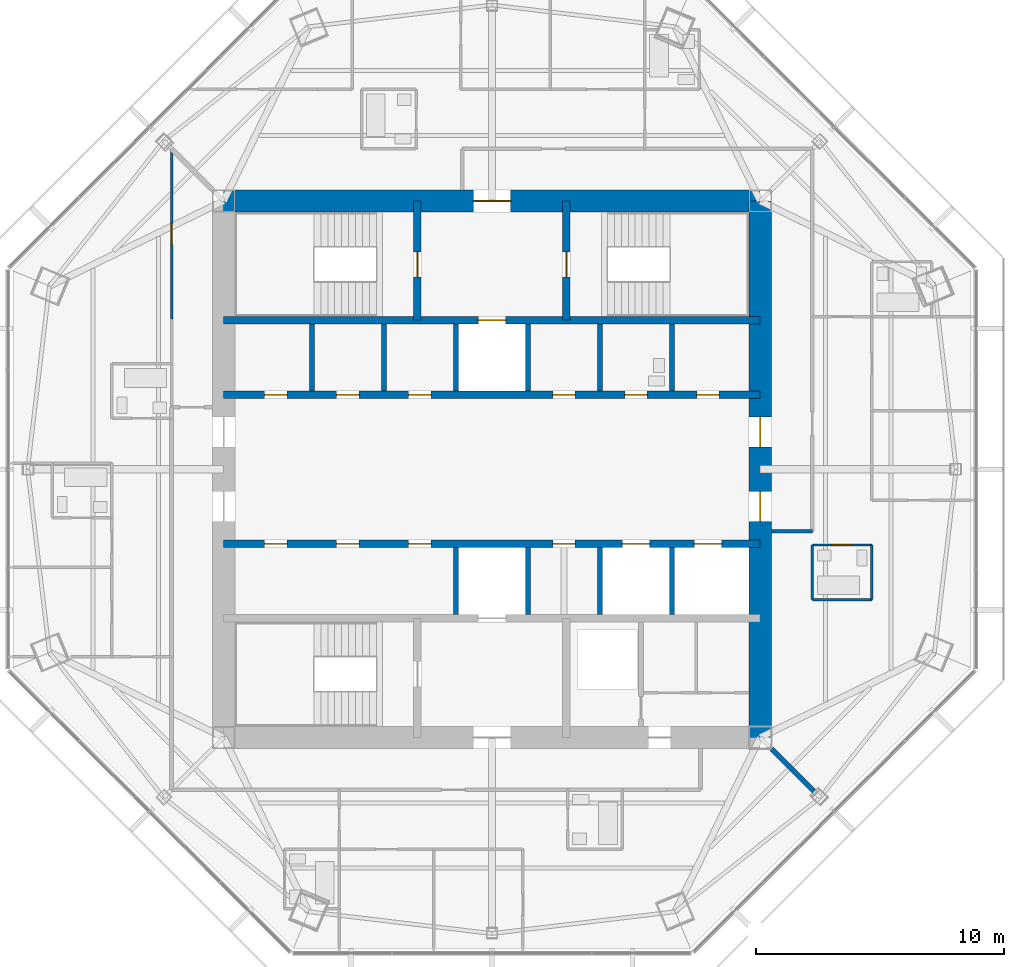
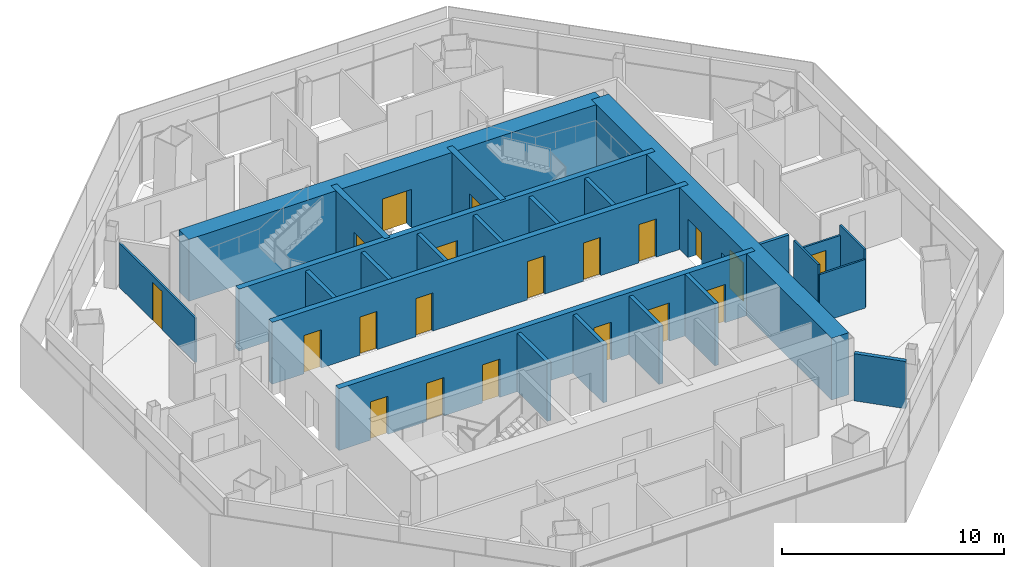
# One storey, part 10 of 15: 24 walls, 20 doors, 20 openings.
"""IFC4 building model written with IfcOpenShell, lengths in metres."""

import ifcopenshell
import ifcopenshell.guid

model = None  # the IFC model being written
_history = None  # IfcOwnerHistory: only IFC2X3 demands one
_inside = {}  # id of a spatial element -> (the spatial element, [elements in it])
_under = {}  # id of a project, library or spatial element -> (it, [spatial elements below it])
_declared = {}  # id of a project -> (the project, [libraries it declares])
_typed = {}  # id of a type object -> (the type object, [elements of that type])
_made_of = {}  # id of a material, layer set ... -> (it, [elements and type objects made of it])


def new_model(schema):
    """Start an empty IFC model of exactly this schema.

    Asked for "IFC4X3", IfcOpenShell would pick the latest addendum, in which some entities
    have other attributes; the version numbers below select the first issue.
    IFC2X3 requires an IfcOwnerHistory on every rooted entity: one is made here for all.
    """
    global model, _history
    if schema == "IFC4X3":
        model = ifcopenshell.file(schema_version=(4, 3, 0, 0))
    else:
        model = ifcopenshell.file(schema=schema)
    _inside.clear()
    _under.clear()
    _declared.clear()
    _typed.clear()
    _made_of.clear()
    _history = None
    if model.schema == "IFC2X3":
        org = make("IfcOrganization", Name="unknown")
        user = make(
            "IfcPersonAndOrganization",
            ThePerson=make("IfcPerson", FamilyName="unknown"),
            TheOrganization=org,
        )
        app = make(
            "IfcApplication",
            ApplicationDeveloper=org,
            Version="unknown",
            ApplicationFullName="unknown",
            ApplicationIdentifier="unknown",
        )
        _history = make(
            "IfcOwnerHistory",
            OwningUser=user,
            OwningApplication=app,
            ChangeAction="ADDED",
            CreationDate=0,
        )
    return model


def make(cls, **values):
    """One entity of the class cls with the attributes given. An attribute that is None is left unset."""
    return model.create_entity(
        cls, **{name: value for name, value in values.items() if value is not None}
    )


def rooted(cls, **values):
    """An entity with a GlobalId (a new one), such as an element, a storey or a relation."""
    return make(cls, GlobalId=ifcopenshell.guid.new(), OwnerHistory=_history, **values)


def si_unit(unit_type, name, prefix=None):
    """IfcSIUnit, for example si_unit("LENGTHUNIT", "METRE", prefix="MILLI")."""
    return make("IfcSIUnit", UnitType=unit_type, Prefix=prefix, Name=name)


def assignment(units):
    """IfcUnitAssignment: the units of a project."""
    return None if units is None else make("IfcUnitAssignment", Units=units)


def point(xyz):
    """IfcCartesianPoint."""
    return None if xyz is None else make("IfcCartesianPoint", Coordinates=xyz)


def direction(xyz):
    """IfcDirection."""
    return None if xyz is None else make("IfcDirection", DirectionRatios=xyz)


def frame(location, z_axis=None, x_axis=None):
    """IfcAxis2Placement3D, a coordinate frame: its origin and axes. An axis left out is left unset."""
    return make(
        "IfcAxis2Placement3D",
        Location=point(location),
        Axis=direction(z_axis),
        RefDirection=direction(x_axis),
    )


def frame_2d(location, x_axis=None):
    """IfcAxis2Placement2D, a coordinate frame in the plane: its origin and x axis."""
    return make(
        "IfcAxis2Placement2D", Location=point(location), RefDirection=direction(x_axis)
    )


def origin():
    """The frame at (0, 0, 0) with its axes left unset."""
    return frame((0.0, 0.0, 0.0))


def place(relative_to, where):
    """IfcLocalPlacement: puts the frame where relative to a parent placement (None: the world)."""
    return make(
        "IfcLocalPlacement", PlacementRelTo=relative_to, RelativePlacement=where
    )


def context(
    kind, dimensions, precision=None, world=None, true_north=None, identifier=None
):
    """IfcGeometricRepresentationContext, for example the 3D "Model" context."""
    return make(
        "IfcGeometricRepresentationContext",
        ContextIdentifier=identifier,
        ContextType=kind,
        CoordinateSpaceDimension=dimensions,
        Precision=precision,
        WorldCoordinateSystem=world,
        TrueNorth=true_north,
    )


def subcontext(parent, identifier, kind, view, scale=None):
    """IfcGeometricRepresentationSubContext, for example "Body" below "Model"."""
    return make(
        "IfcGeometricRepresentationSubContext",
        ContextIdentifier=identifier,
        ContextType=kind,
        ParentContext=parent,
        TargetScale=scale,
        TargetView=view,
    )


def project(units=None, contexts=None):
    """IfcProject with its units and contexts."""
    return rooted(
        "IfcProject",
        Name="project",
        RepresentationContexts=contexts,
        UnitsInContext=assignment(units),
    )


def spatial(cls, under=None, at=None, **own):
    """A site, building, storey or space (cls), placed at a placement, below another one or the project."""
    s = rooted(cls, ObjectPlacement=at, **own)
    if under is not None:
        _under.setdefault(under.id(), (under, []))[1].append(s)
    return s


def profile(cls, at=None, kind="AREA", **sizes):
    """A parametric profile (cls). Its sizes go by their IFC names, for example OverallWidth=200.0."""
    return make(cls, ProfileType=kind, Position=at, **sizes)


def rectangle(**sizes):
    """IfcRectangleProfileDef."""
    return profile("IfcRectangleProfileDef", **sizes)


def extrude(swept, where, along, depth):
    """IfcExtrudedAreaSolid: the profile swept, set in the frame where, extruded along a direction by depth."""
    return make(
        "IfcExtrudedAreaSolid",
        SweptArea=swept,
        Position=where,
        ExtrudedDirection=direction(along),
        Depth=depth,
    )


def shape(context_of_items, identifier, shape_type, items):
    """IfcShapeRepresentation: the items that make up one representation, for example the "Body"."""
    return make(
        "IfcShapeRepresentation",
        ContextOfItems=context_of_items,
        RepresentationIdentifier=identifier,
        RepresentationType=shape_type,
        Items=items,
    )


def material(Name=None, Category=None):
    """IfcMaterial."""
    return make("IfcMaterial", Name=Name, Category=Category)


def layer(
    of_material, thickness, ventilated=None, Name=None, Category=None, Priority=None
):
    """IfcMaterialLayer: one layer of a wall or slab, of a material (None: an air gap)."""
    return make(
        "IfcMaterialLayer",
        Material=of_material,
        LayerThickness=thickness,
        IsVentilated=ventilated,
        Name=Name,
        Category=Category,
        Priority=Priority,
    )


def layer_set(layers, Name=None):
    """IfcMaterialLayerSet."""
    return make("IfcMaterialLayerSet", MaterialLayers=layers, LayerSetName=Name)


def made_of(thing, what):
    """Note that an element or type object is made of a material, layer set ...; save() writes the relation."""
    if what is not None:
        _made_of.setdefault(what.id(), (what, []))[1].append(thing)
    return thing


def type_object(cls, material=None, **own):
    """A type object (cls), such as IfcWallType, which elements share."""
    return made_of(rooted(cls, **own), material)


def element(
    cls,
    number,
    at=None,
    inside=None,
    cuts=None,
    type_object=None,
    material=None,
    context=None,
    identifier="Body",
    shape_type=None,
    held_by="IfcProductDefinitionShape",
    body=None,
    shapes=None,
    **own,
):
    """One element of the class cls, such as IfcWall. Its Tag is "e" and its number.

    at: its placement. inside: the storey or other place that contains it. cuts: it is an
    opening in that element (IfcRelVoidsElement). A single representation is given by context,
    identifier, shape_type and body (its items); several are given by shapes. held_by: the class
    of the entity that holds the representations. save() writes the other relations.
    """
    e = rooted(cls, Tag="e%d" % number, ObjectPlacement=at, **own)
    if body is not None:
        shapes = [shape(context, identifier, shape_type, body)]
    if shapes is not None:
        e.Representation = make(held_by, Representations=shapes)
    if inside is not None:
        _inside.setdefault(inside.id(), (inside, []))[1].append(e)
    if cuts is not None:
        rooted(
            "IfcRelVoidsElement", RelatingBuildingElement=cuts, RelatedOpeningElement=e
        )
    if type_object is not None:
        _typed.setdefault(type_object.id(), (type_object, []))[1].append(e)
    return made_of(e, material)


def fill(opening, filler):
    """IfcRelFillsElement: the door or window that sits in an opening."""
    return rooted(
        "IfcRelFillsElement",
        RelatingOpeningElement=opening,
        RelatedBuildingElement=filler,
    )


def aggregate(whole, parts):
    """IfcRelAggregates: a whole, such as a stair, and the parts it consists of."""
    return rooted("IfcRelAggregates", RelatingObject=whole, RelatedObjects=parts)


def save(model, path):
    """Write the relations noted so far, then the file.

    IfcRelAggregates (storeys below a building ...), IfcRelContainedInSpatialStructure (elements
    in a storey), IfcRelDefinesByType, IfcRelAssociatesMaterial and IfcRelDeclares: one each for
    every whole, place, type object, material and project.
    """
    for whole, parts in _under.values():
        aggregate(whole, parts)
    for where, things in _inside.values():
        rooted(
            "IfcRelContainedInSpatialStructure",
            RelatedElements=things,
            RelatingStructure=where,
        )
    for kind, things in _typed.values():
        rooted("IfcRelDefinesByType", RelatedObjects=things, RelatingType=kind)
    for what, things in _made_of.values():
        rooted("IfcRelAssociatesMaterial", RelatedObjects=things, RelatingMaterial=what)
    for by, libraries in _declared.values():
        rooted("IfcRelDeclares", RelatingContext=by, RelatedDefinitions=libraries)
    model.write(path)


model = new_model("IFC4")

# Units and contexts
model_context = context("Model", 3, precision=1e-05, world=origin(), true_north=direction((0.0, 1.0)))
body_context = subcontext(model_context, "Body", "Model", "MODEL_VIEW")
ifc_project = project(units=[si_unit("LENGTHUNIT", "METRE"), si_unit("AREAUNIT", "SQUARE_METRE"), si_unit("VOLUMEUNIT", "CUBIC_METRE"), si_unit("PLANEANGLEUNIT", "RADIAN"), si_unit("MASSUNIT", "GRAM", prefix="KILO")], contexts=[model_context])

# Site, building, storey
site_placement = place(None, origin())
site = spatial("IfcSite", under=ifc_project, at=site_placement, CompositionType="ELEMENT")
building_placement = place(site_placement, origin())
building = spatial("IfcBuilding", under=site, at=building_placement, Name="Mashrafa Tower", CompositionType="ELEMENT")
storey_placement = place(building_placement, frame((0.0, 0.0, 301.39990234375)))
storey = spatial("IfcBuildingStorey", under=building, at=storey_placement, Name="L74", CompositionType="ELEMENT", Elevation=301.39990234375)

# Wall
ifc_material_1 = material(Name="Gypsum board on steel studs", Category="steel")
ifc_layer_1 = layer(ifc_material_1, 0.199951171875)
ifc_layer_set_1 = layer_set([ifc_layer_1], Name="Acoustic partition 200 1 hr")
wall_type_1 = type_object("IfcWallType", Name="Acoustic partition 200 1 hr", PredefinedType="PARTITIONING", material=ifc_layer_set_1)
wall_1_placement = place(storey_placement, frame((11.26904296875, -11.26904296875, 0.0), z_axis=(0.0, 0.0, 1.0), x_axis=(0.707106781187, -0.707106781187, 0.0)))
element("IfcWall", 1, at=wall_1_placement, inside=storey, type_object=wall_type_1, Name="Acoustic wall L74-035", PredefinedType="PARTITIONING", context=body_context, shape_type="SweptSolid", body=[
    extrude(rectangle(XDim=2.411376953125, YDim=0.199951171875, at=frame_2d((1.20556640625, 0.0))), origin(), (0.0, 0.0, 1.0), 2.590576171875),
])

# Wall, openings, doors
ifc_material_2 = material(Name="Concrete C50/60", Category="concrete")
ifc_layer_2 = layer(ifc_material_2, 0.300048828125)
ifc_layer_set_2 = layer_set([ifc_layer_2], Name="Core wall 300 C50/60")
wall_type_2 = type_object("IfcWallType", Name="Core wall 300 C50/60", PredefinedType="SOLIDWALL", material=ifc_layer_set_2)
wall_2_placement = place(storey_placement, frame((-10.800048828125, 3.0, 0.0), z_axis=(0.0, 0.0, 1.0), x_axis=(1.0, 0.0, 0.0)))
wall_2 = element("IfcWall", 2, at=wall_2_placement, inside=storey, type_object=wall_type_2, Name="Core wall CH-N L74", PredefinedType="SOLIDWALL", context=body_context, shape_type="SweptSolid", body=[
    extrude(rectangle(XDim=21.60009765625, YDim=0.300048828125, at=frame_2d((10.800048828125, 0.0))), origin(), (0.0, 0.0, 1.0), 3.400146484375),
])
opening_1_placement = place(wall_2_placement, frame((1.64990234375, 0.0, 0.0)))
opening_1 = element("IfcOpeningElement", 3, at=opening_1_placement, cuts=wall_2, Name="Opening 74.040", PredefinedType="OPENING", context=body_context, shape_type="SweptSolid", body=[
    extrude(rectangle(XDim=0.89990234375, YDim=2.10009765625, at=frame_2d((0.449951171875, 1.050048828125))), frame((0.0, 0.159912109375, 0.0), z_axis=(0.0, -1.0, 0.0), x_axis=(1.0, 0.0, 0.0)), (0.0, 0.0, 1.0), 0.320068359375),
])
opening_2_placement = place(wall_2_placement, frame((4.550048828125, 0.0, 0.0)))
opening_2 = element("IfcOpeningElement", 4, at=opening_2_placement, cuts=wall_2, Name="Opening 74.041", PredefinedType="OPENING", context=body_context, shape_type="SweptSolid", body=[
    extrude(rectangle(XDim=0.89990234375, YDim=2.10009765625, at=frame_2d((0.449951171875, 1.050048828125))), frame((0.0, 0.159912109375, 0.0), z_axis=(0.0, -1.0, 0.0), x_axis=(1.0, 0.0, 0.0)), (0.0, 0.0, 1.0), 0.320068359375),
])
opening_3_placement = place(wall_2_placement, frame((13.25, 0.0, 0.0)))
opening_3 = element("IfcOpeningElement", 5, at=opening_3_placement, cuts=wall_2, Name="Opening 74.042", PredefinedType="OPENING", context=body_context, shape_type="SweptSolid", body=[
    extrude(rectangle(XDim=0.89990234375, YDim=2.10009765625, at=frame_2d((0.449951171875, 1.050048828125))), frame((0.0, 0.159912109375, 0.0), z_axis=(0.0, -1.0, 0.0), x_axis=(1.0, 0.0, 0.0)), (0.0, 0.0, 1.0), 0.320068359375),
])
opening_4_placement = place(wall_2_placement, frame((16.14990234375, 0.0, 0.0)))
opening_4 = element("IfcOpeningElement", 6, at=opening_4_placement, cuts=wall_2, Name="Opening 74.043", PredefinedType="OPENING", context=body_context, shape_type="SweptSolid", body=[
    extrude(rectangle(XDim=0.89990234375, YDim=2.10009765625, at=frame_2d((0.449951171875, 1.050048828125))), frame((0.0, 0.159912109375, 0.0), z_axis=(0.0, -1.0, 0.0), x_axis=(1.0, 0.0, 0.0)), (0.0, 0.0, 1.0), 0.320068359375),
])
opening_5_placement = place(wall_2_placement, frame((7.449951171875, 0.0, 0.0)))
opening_5 = element("IfcOpeningElement", 7, at=opening_5_placement, cuts=wall_2, Name="Opening 74.048", PredefinedType="OPENING", context=body_context, shape_type="SweptSolid", body=[
    extrude(rectangle(XDim=0.89990234375, YDim=2.10009765625, at=frame_2d((0.449951171875, 1.050048828125))), frame((0.0, 0.159912109375, 0.0), z_axis=(0.0, -1.0, 0.0), x_axis=(1.0, 0.0, 0.0)), (0.0, 0.0, 1.0), 0.320068359375),
])
opening_6_placement = place(wall_2_placement, frame((19.050048828125, 0.0, 0.0)))
opening_6 = element("IfcOpeningElement", 8, at=opening_6_placement, cuts=wall_2, Name="Opening 74.049", PredefinedType="OPENING", context=body_context, shape_type="SweptSolid", body=[
    extrude(rectangle(XDim=0.89990234375, YDim=2.10009765625, at=frame_2d((0.449951171875, 1.050048828125))), frame((0.0, 0.159912109375, 0.0), z_axis=(0.0, -1.0, 0.0), x_axis=(1.0, 0.0, 0.0)), (0.0, 0.0, 1.0), 0.320068359375),
])
ifc_material_3 = material(Name="Timber door", Category="wood")
door_type_1 = type_object("IfcDoorType", Name="Store door 900 x 2100", OperationType="USERDEFINED", PredefinedType="DOOR", material=ifc_material_3)
door_1_placement = place(opening_1_placement, origin())
door_1 = element("IfcDoor", 9, at=door_1_placement, inside=storey, type_object=door_type_1, Name="Refuse Chute Room L74 door", OperationType="SINGLE_SWING_RIGHT", OverallHeight=2.10009765625, OverallWidth=0.89990234375, PredefinedType="DOOR", context=body_context, shape_type="SweptSolid", body=[
    extrude(rectangle(XDim=0.89990234375, YDim=2.10009765625, at=frame_2d((0.449951171875, 1.050048828125))), frame((0.0, 0.02490234375, 0.0), z_axis=(0.0, -1.0, 0.0), x_axis=(1.0, 0.0, 0.0)), (0.0, 0.0, 1.0), 0.050048828125),
])
fill(opening_1, door_1)
door_2_placement = place(opening_2_placement, origin())
door_2 = element("IfcDoor", 10, at=door_2_placement, inside=storey, type_object=door_type_1, Name="Housekeeping Room L74 door", OperationType="SINGLE_SWING_LEFT", OverallHeight=2.10009765625, OverallWidth=0.89990234375, PredefinedType="DOOR", context=body_context, shape_type="SweptSolid", body=[
    extrude(rectangle(XDim=0.89990234375, YDim=2.10009765625, at=frame_2d((0.449951171875, 1.050048828125))), frame((0.0, 0.02490234375, 0.0), z_axis=(0.0, -1.0, 0.0), x_axis=(1.0, 0.0, 0.0)), (0.0, 0.0, 1.0), 0.050048828125),
])
fill(opening_2, door_2)
door_3_placement = place(opening_3_placement, origin())
door_3 = element("IfcDoor", 11, at=door_3_placement, inside=storey, type_object=door_type_1, Name="Cleaner's Store L74 door", OperationType="SINGLE_SWING_LEFT", OverallHeight=2.10009765625, OverallWidth=0.89990234375, PredefinedType="DOOR", context=body_context, shape_type="SweptSolid", body=[
    extrude(rectangle(XDim=0.89990234375, YDim=2.10009765625, at=frame_2d((0.449951171875, 1.050048828125))), frame((0.0, 0.02490234375, 0.0), z_axis=(0.0, -1.0, 0.0), x_axis=(1.0, 0.0, 0.0)), (0.0, 0.0, 1.0), 0.050048828125),
])
fill(opening_3, door_3)
door_4_placement = place(opening_5_placement, origin())
door_4 = element("IfcDoor", 12, at=door_4_placement, inside=storey, type_object=door_type_1, Name="Residents' Store L74-A3 door", OperationType="SINGLE_SWING_LEFT", OverallHeight=2.10009765625, OverallWidth=0.89990234375, PredefinedType="DOOR", context=body_context, shape_type="SweptSolid", body=[
    extrude(rectangle(XDim=0.89990234375, YDim=2.10009765625, at=frame_2d((0.449951171875, 1.050048828125))), frame((0.0, 0.02490234375, 0.0), z_axis=(0.0, -1.0, 0.0), x_axis=(1.0, 0.0, 0.0)), (0.0, 0.0, 1.0), 0.050048828125),
])
fill(opening_5, door_4)
door_5_placement = place(opening_6_placement, origin())
door_5 = element("IfcDoor", 13, at=door_5_placement, inside=storey, type_object=door_type_1, Name="Residents' Store L74-K2 door", OperationType="SINGLE_SWING_LEFT", OverallHeight=2.10009765625, OverallWidth=0.89990234375, PredefinedType="DOOR", context=body_context, shape_type="SweptSolid", body=[
    extrude(rectangle(XDim=0.89990234375, YDim=2.10009765625, at=frame_2d((0.449951171875, 1.050048828125))), frame((0.0, 0.02490234375, 0.0), z_axis=(0.0, -1.0, 0.0), x_axis=(1.0, 0.0, 0.0)), (0.0, 0.0, 1.0), 0.050048828125),
])
fill(opening_6, door_5)
ifc_material_4 = material(Name="Timber door", Category="wood")
door_type_2 = type_object("IfcDoorType", Name="Toilet door 900 x 2100", OperationType="USERDEFINED", PredefinedType="DOOR", material=ifc_material_4)
door_6_placement = place(opening_4_placement, origin())
door_6 = element("IfcDoor", 14, at=door_6_placement, inside=storey, type_object=door_type_2, Name="Staff WC L74 door", OperationType="SINGLE_SWING_LEFT", OverallHeight=2.10009765625, OverallWidth=0.89990234375, PredefinedType="DOOR", context=body_context, shape_type="SweptSolid", body=[
    extrude(rectangle(XDim=0.89990234375, YDim=2.10009765625, at=frame_2d((0.449951171875, 1.050048828125))), frame((0.0, 0.02490234375, 0.0), z_axis=(0.0, -1.0, 0.0), x_axis=(1.0, 0.0, 0.0)), (0.0, 0.0, 1.0), 0.050048828125),
])
fill(opening_4, door_6)

# Wall, opening, door
wall_3_placement = place(storey_placement, frame((-10.800048828125, 6.0, 0.0), z_axis=(0.0, 0.0, 1.0), x_axis=(1.0, 0.0, 0.0)))
wall_3 = element("IfcWall", 15, at=wall_3_placement, inside=storey, type_object=wall_type_2, Name="Core wall CB-N L74", PredefinedType="SOLIDWALL", context=body_context, shape_type="SweptSolid", body=[
    extrude(rectangle(XDim=21.60009765625, YDim=0.300048828125, at=frame_2d((10.800048828125, 0.0))), origin(), (0.0, 0.0, 1.0), 3.400146484375),
])
opening_7_placement = place(wall_3_placement, frame((10.25, 0.0, 0.0)))
opening_7 = element("IfcOpeningElement", 16, at=opening_7_placement, cuts=wall_3, Name="Opening 74.F1", PredefinedType="OPENING", context=body_context, shape_type="SweptSolid", body=[
    extrude(rectangle(XDim=1.10009765625, YDim=2.10009765625, at=frame_2d((0.550048828125, 1.050048828125))), frame((0.0, 0.159912109375, 0.0), z_axis=(0.0, -1.0, 0.0), x_axis=(1.0, 0.0, 0.0)), (0.0, 0.0, 1.0), 0.320068359375),
])
ifc_material_5 = material(Name="Steel door", Category="steel")
door_type_3 = type_object("IfcDoorType", Name="Lift landing door 1100 x 2100 90 min", OperationType="DOUBLE_DOOR_SLIDING", PredefinedType="DOOR", material=ifc_material_5)
door_7_placement = place(opening_7_placement, origin())
door_7 = element("IfcDoor", 17, at=door_7_placement, inside=storey, type_object=door_type_3, Name="Lift landing door F1 L74", OperationType="DOUBLE_DOOR_SLIDING", OverallHeight=2.10009765625, OverallWidth=1.10009765625, PredefinedType="DOOR", context=body_context, shape_type="SweptSolid", body=[
    extrude(rectangle(XDim=1.10009765625, YDim=2.10009765625, at=frame_2d((0.550048828125, 1.050048828125))), frame((0.0, 0.02490234375, 0.0), z_axis=(0.0, -1.0, 0.0), x_axis=(1.0, 0.0, 0.0)), (0.0, 0.0, 1.0), 0.050048828125),
])
fill(opening_7, door_7)

wall_4_placement = place(storey_placement, frame((-3.0, 6.0, 0.0), z_axis=(0.0, 0.0, 1.0), x_axis=(0.0, 1.0, 0.0)))
wall_4 = element("IfcWall", 18, at=wall_4_placement, inside=storey, type_object=wall_type_2, Name="Core wall CX-NW L74", PredefinedType="SOLIDWALL", context=body_context, shape_type="SweptSolid", body=[
    extrude(rectangle(XDim=4.800048828125, YDim=0.300048828125, at=frame_2d((2.39990234375, 0.0))), origin(), (0.0, 0.0, 1.0), 3.400146484375),
])
opening_8_placement = place(wall_4_placement, frame((1.75, 0.0, 0.0)))
opening_8 = element("IfcOpeningElement", 19, at=opening_8_placement, cuts=wall_4, Name="Opening 74.033", PredefinedType="OPENING", context=body_context, shape_type="SweptSolid", body=[
    extrude(rectangle(XDim=1.0, YDim=2.10009765625, at=frame_2d((0.5, 1.050048828125))), frame((0.0, 0.159912109375, 0.0), z_axis=(0.0, -1.0, 0.0), x_axis=(1.0, 0.0, 0.0)), (0.0, 0.0, 1.0), 0.320068359375),
])
ifc_material_6 = material(Name="Steel door", Category="steel")
door_type_4 = type_object("IfcDoorType", Name="Stair door 1000 x 2100 90 min", OperationType="USERDEFINED", PredefinedType="DOOR", material=ifc_material_6)
door_8_placement = place(opening_8_placement, origin())
door_8 = element("IfcDoor", 20, at=door_8_placement, inside=storey, type_object=door_type_4, Name="Stair S1 door L74", OperationType="SINGLE_SWING_LEFT", OverallHeight=2.10009765625, OverallWidth=1.0, PredefinedType="DOOR", context=body_context, shape_type="SweptSolid", body=[
    extrude(rectangle(XDim=1.0, YDim=2.10009765625, at=frame_2d((0.5, 1.050048828125))), frame((0.0, 0.02490234375, 0.0), z_axis=(0.0, -1.0, 0.0), x_axis=(1.0, 0.0, 0.0)), (0.0, 0.0, 1.0), 0.050048828125),
])
fill(opening_8, door_8)

wall_5_placement = place(storey_placement, frame((3.0, 6.0, 0.0), z_axis=(0.0, 0.0, 1.0), x_axis=(0.0, 1.0, 0.0)))
wall_5 = element("IfcWall", 21, at=wall_5_placement, inside=storey, type_object=wall_type_2, Name="Core wall CX-NE L74", PredefinedType="SOLIDWALL", context=body_context, shape_type="SweptSolid", body=[
    extrude(rectangle(XDim=4.800048828125, YDim=0.300048828125, at=frame_2d((2.39990234375, 0.0))), origin(), (0.0, 0.0, 1.0), 3.400146484375),
])
opening_9_placement = place(wall_5_placement, frame((1.75, 0.0, 0.0)))
opening_9 = element("IfcOpeningElement", 22, at=opening_9_placement, cuts=wall_5, Name="Opening 74.034", PredefinedType="OPENING", context=body_context, shape_type="SweptSolid", body=[
    extrude(rectangle(XDim=1.0, YDim=2.10009765625, at=frame_2d((0.5, 1.050048828125))), frame((0.0, 0.159912109375, 0.0), z_axis=(0.0, -1.0, 0.0), x_axis=(1.0, 0.0, 0.0)), (0.0, 0.0, 1.0), 0.320068359375),
])
door_9_placement = place(opening_9_placement, frame((1.0, 0.0, 0.0), z_axis=(0.0, 0.0, 1.0), x_axis=(-1.0, 0.0, 0.0)))
door_9 = element("IfcDoor", 23, at=door_9_placement, inside=storey, type_object=door_type_4, Name="Stair S2 door L74", OperationType="SINGLE_SWING_RIGHT", OverallHeight=2.10009765625, OverallWidth=1.0, PredefinedType="DOOR", context=body_context, shape_type="SweptSolid", body=[
    extrude(rectangle(XDim=1.0, YDim=2.10009765625, at=frame_2d((0.5, 1.050048828125))), frame((0.0, 0.02490234375, 0.0), z_axis=(0.0, -1.0, 0.0), x_axis=(1.0, 0.0, 0.0)), (0.0, 0.0, 1.0), 0.050048828125),
])
fill(opening_9, door_9)

# Wall, openings, doors
wall_6_placement = place(storey_placement, frame((-10.800048828125, -3.0, 0.0), z_axis=(0.0, 0.0, 1.0), x_axis=(1.0, 0.0, 0.0)))
wall_6 = element("IfcWall", 24, at=wall_6_placement, inside=storey, type_object=wall_type_2, Name="Core wall CH-S L74", PredefinedType="SOLIDWALL", context=body_context, shape_type="SweptSolid", body=[
    extrude(rectangle(XDim=21.60009765625, YDim=0.300048828125, at=frame_2d((10.800048828125, 0.0))), origin(), (0.0, 0.0, 1.0), 3.400146484375),
])
opening_10_placement = place(wall_6_placement, frame((13.25, 0.0, 0.0)))
opening_10 = element("IfcOpeningElement", 25, at=opening_10_placement, cuts=wall_6, Name="Opening 74.044", PredefinedType="OPENING", context=body_context, shape_type="SweptSolid", body=[
    extrude(rectangle(XDim=0.89990234375, YDim=2.10009765625, at=frame_2d((0.449951171875, 1.050048828125))), frame((0.0, 0.159912109375, 0.0), z_axis=(0.0, -1.0, 0.0), x_axis=(1.0, 0.0, 0.0)), (0.0, 0.0, 1.0), 0.320068359375),
])
opening_11_placement = place(wall_6_placement, frame((1.64990234375, 0.0, 0.0)))
opening_11 = element("IfcOpeningElement", 26, at=opening_11_placement, cuts=wall_6, Name="Opening 74.045", PredefinedType="OPENING", context=body_context, shape_type="SweptSolid", body=[
    extrude(rectangle(XDim=0.89990234375, YDim=2.10009765625, at=frame_2d((0.449951171875, 1.050048828125))), frame((0.0, 0.159912109375, 0.0), z_axis=(0.0, -1.0, 0.0), x_axis=(1.0, 0.0, 0.0)), (0.0, 0.0, 1.0), 0.320068359375),
])
opening_12_placement = place(wall_6_placement, frame((4.550048828125, 0.0, 0.0)))
opening_12 = element("IfcOpeningElement", 27, at=opening_12_placement, cuts=wall_6, Name="Opening 74.046", PredefinedType="OPENING", context=body_context, shape_type="SweptSolid", body=[
    extrude(rectangle(XDim=0.89990234375, YDim=2.10009765625, at=frame_2d((0.449951171875, 1.050048828125))), frame((0.0, 0.159912109375, 0.0), z_axis=(0.0, -1.0, 0.0), x_axis=(1.0, 0.0, 0.0)), (0.0, 0.0, 1.0), 0.320068359375),
])
opening_13_placement = place(wall_6_placement, frame((7.449951171875, 0.0, 0.0)))
opening_13 = element("IfcOpeningElement", 28, at=opening_13_placement, cuts=wall_6, Name="Opening 74.047", PredefinedType="OPENING", context=body_context, shape_type="SweptSolid", body=[
    extrude(rectangle(XDim=0.89990234375, YDim=2.10009765625, at=frame_2d((0.449951171875, 1.050048828125))), frame((0.0, 0.159912109375, 0.0), z_axis=(0.0, -1.0, 0.0), x_axis=(1.0, 0.0, 0.0)), (0.0, 0.0, 1.0), 0.320068359375),
])
opening_14_placement = place(wall_6_placement, frame((16.050048828125, 0.0, 0.0)))
opening_14 = element("IfcOpeningElement", 29, at=opening_14_placement, cuts=wall_6, Name="Opening 74.R1", PredefinedType="OPENING", context=body_context, shape_type="SweptSolid", body=[
    extrude(rectangle(XDim=1.10009765625, YDim=2.10009765625, at=frame_2d((0.550048828125, 1.050048828125))), frame((0.0, 0.159912109375, 0.0), z_axis=(0.0, -1.0, 0.0), x_axis=(1.0, 0.0, 0.0)), (0.0, 0.0, 1.0), 0.320068359375),
])
opening_15_placement = place(wall_6_placement, frame((18.949951171875, 0.0, 0.0)))
opening_15 = element("IfcOpeningElement", 30, at=opening_15_placement, cuts=wall_6, Name="Opening 74.R2", PredefinedType="OPENING", context=body_context, shape_type="SweptSolid", body=[
    extrude(rectangle(XDim=1.10009765625, YDim=2.10009765625, at=frame_2d((0.550048828125, 1.050048828125))), frame((0.0, 0.159912109375, 0.0), z_axis=(0.0, -1.0, 0.0), x_axis=(1.0, 0.0, 0.0)), (0.0, 0.0, 1.0), 0.320068359375),
])
door_10_placement = place(opening_14_placement, origin())
door_10 = element("IfcDoor", 31, at=door_10_placement, inside=storey, type_object=door_type_3, Name="Lift landing door R1 L74", OperationType="DOUBLE_DOOR_SLIDING", OverallHeight=2.10009765625, OverallWidth=1.10009765625, PredefinedType="DOOR", context=body_context, shape_type="SweptSolid", body=[
    extrude(rectangle(XDim=1.10009765625, YDim=2.10009765625, at=frame_2d((0.550048828125, 1.050048828125))), frame((0.0, 0.02490234375, 0.0), z_axis=(0.0, -1.0, 0.0), x_axis=(1.0, 0.0, 0.0)), (0.0, 0.0, 1.0), 0.050048828125),
])
fill(opening_14, door_10)
door_11_placement = place(opening_15_placement, origin())
door_11 = element("IfcDoor", 32, at=door_11_placement, inside=storey, type_object=door_type_3, Name="Lift landing door R2 L74", OperationType="DOUBLE_DOOR_SLIDING", OverallHeight=2.10009765625, OverallWidth=1.10009765625, PredefinedType="DOOR", context=body_context, shape_type="SweptSolid", body=[
    extrude(rectangle(XDim=1.10009765625, YDim=2.10009765625, at=frame_2d((0.550048828125, 1.050048828125))), frame((0.0, 0.02490234375, 0.0), z_axis=(0.0, -1.0, 0.0), x_axis=(1.0, 0.0, 0.0)), (0.0, 0.0, 1.0), 0.050048828125),
])
fill(opening_15, door_11)
door_12_placement = place(opening_10_placement, frame((0.89990234375, 0.0, 0.0), z_axis=(0.0, 0.0, 1.0), x_axis=(-1.0, 0.0, 0.0)))
door_12 = element("IfcDoor", 33, at=door_12_placement, inside=storey, type_object=door_type_1, Name="Linen Store L74 door", OperationType="SINGLE_SWING_RIGHT", OverallHeight=2.10009765625, OverallWidth=0.89990234375, PredefinedType="DOOR", context=body_context, shape_type="SweptSolid", body=[
    extrude(rectangle(XDim=0.89990234375, YDim=2.10009765625, at=frame_2d((0.449951171875, 1.050048828125))), frame((0.0, 0.02490234375, 0.0), z_axis=(0.0, -1.0, 0.0), x_axis=(1.0, 0.0, 0.0)), (0.0, 0.0, 1.0), 0.050048828125),
])
fill(opening_10, door_12)
door_13_placement = place(opening_11_placement, frame((0.89990234375, 0.0, 0.0), z_axis=(0.0, 0.0, 1.0), x_axis=(-1.0, 0.0, 0.0)))
door_13 = element("IfcDoor", 34, at=door_13_placement, inside=storey, type_object=door_type_1, Name="Butler's Pantry L74 door", OperationType="SINGLE_SWING_RIGHT", OverallHeight=2.10009765625, OverallWidth=0.89990234375, PredefinedType="DOOR", context=body_context, shape_type="SweptSolid", body=[
    extrude(rectangle(XDim=0.89990234375, YDim=2.10009765625, at=frame_2d((0.449951171875, 1.050048828125))), frame((0.0, 0.02490234375, 0.0), z_axis=(0.0, -1.0, 0.0), x_axis=(1.0, 0.0, 0.0)), (0.0, 0.0, 1.0), 0.050048828125),
])
fill(opening_11, door_13)
door_14_placement = place(opening_12_placement, frame((0.89990234375, 0.0, 0.0), z_axis=(0.0, 0.0, 1.0), x_axis=(-1.0, 0.0, 0.0)))
door_14 = element("IfcDoor", 35, at=door_14_placement, inside=storey, type_object=door_type_1, Name="Butler's Pantry L74 door", OperationType="SINGLE_SWING_LEFT", OverallHeight=2.10009765625, OverallWidth=0.89990234375, PredefinedType="DOOR", context=body_context, shape_type="SweptSolid", body=[
    extrude(rectangle(XDim=0.89990234375, YDim=2.10009765625, at=frame_2d((0.449951171875, 1.050048828125))), frame((0.0, 0.02490234375, 0.0), z_axis=(0.0, -1.0, 0.0), x_axis=(1.0, 0.0, 0.0)), (0.0, 0.0, 1.0), 0.050048828125),
])
fill(opening_12, door_14)
door_15_placement = place(opening_13_placement, frame((0.89990234375, 0.0, 0.0), z_axis=(0.0, 0.0, 1.0), x_axis=(-1.0, 0.0, 0.0)))
door_15 = element("IfcDoor", 36, at=door_15_placement, inside=storey, type_object=door_type_1, Name="Butler's Pantry L74 door", OperationType="SINGLE_SWING_LEFT", OverallHeight=2.10009765625, OverallWidth=0.89990234375, PredefinedType="DOOR", context=body_context, shape_type="SweptSolid", body=[
    extrude(rectangle(XDim=0.89990234375, YDim=2.10009765625, at=frame_2d((0.449951171875, 1.050048828125))), frame((0.0, 0.02490234375, 0.0), z_axis=(0.0, -1.0, 0.0), x_axis=(1.0, 0.0, 0.0)), (0.0, 0.0, 1.0), 0.050048828125),
])
fill(opening_13, door_15)

ifc_material_7 = material(Name="Concrete C50/60", Category="concrete")
ifc_layer_3 = layer(ifc_material_7, 0.89990234375)
ifc_layer_set_3 = layer_set([ifc_layer_3], Name="Core wall 900 C50/60")
wall_type_3 = type_object("IfcWallType", Name="Core wall 900 C50/60", PredefinedType="SOLIDWALL", material=ifc_layer_set_3)
wall_7_placement = place(storey_placement, frame((10.800048828125, -10.800048828125, 0.0), z_axis=(0.0, 0.0, 1.0), x_axis=(0.0, 1.0, 0.0)))
wall_7 = element("IfcWall", 37, at=wall_7_placement, inside=storey, type_object=wall_type_3, Name="Core wall CW-E L74", PredefinedType="SOLIDWALL", context=body_context, shape_type="SweptSolid", body=[
    extrude(rectangle(XDim=21.60009765625, YDim=0.89990234375, at=frame_2d((10.800048828125, 0.0))), origin(), (0.0, 0.0, 1.0), 3.400146484375),
])
opening_16_placement = place(wall_7_placement, frame((11.699951171875, 0.0, 0.0)))
opening_16 = element("IfcOpeningElement", 38, at=opening_16_placement, cuts=wall_7, Name="Opening 74.027", PredefinedType="OPENING", context=body_context, shape_type="SweptSolid", body=[
    extrude(rectangle(XDim=1.199951171875, YDim=2.10009765625, at=frame_2d((0.60009765625, 1.050048828125))), frame((0.0, 0.4599609375, 0.0), z_axis=(0.0, -1.0, 0.0), x_axis=(1.0, 0.0, 0.0)), (0.0, 0.0, 1.0), 0.919921875),
])
opening_17_placement = place(wall_7_placement, frame((8.699951171875, 0.0, 0.0)))
opening_17 = element("IfcOpeningElement", 39, at=opening_17_placement, cuts=wall_7, Name="Opening 74.029", PredefinedType="OPENING", context=body_context, shape_type="SweptSolid", body=[
    extrude(rectangle(XDim=1.199951171875, YDim=2.10009765625, at=frame_2d((0.60009765625, 1.050048828125))), frame((0.0, 0.4599609375, 0.0), z_axis=(0.0, -1.0, 0.0), x_axis=(1.0, 0.0, 0.0)), (0.0, 0.0, 1.0), 0.919921875),
])
ifc_material_8 = material(Name="Steel door", Category="steel")
door_type_5 = type_object("IfcDoorType", Name="Lift hall door 1200 x 2100 90 min", OperationType="USERDEFINED", PredefinedType="DOOR", material=ifc_material_8)
door_16_placement = place(opening_16_placement, frame((1.199951171875, 0.0, 0.0), z_axis=(0.0, 0.0, 1.0), x_axis=(-1.0, 0.0, 0.0)))
door_16 = element("IfcDoor", 40, at=door_16_placement, inside=storey, type_object=door_type_5, Name="Lift hall door east L74", OperationType="SINGLE_SWING_RIGHT", OverallHeight=2.10009765625, OverallWidth=1.199951171875, PredefinedType="DOOR", context=body_context, shape_type="SweptSolid", body=[
    extrude(rectangle(XDim=1.199951171875, YDim=2.10009765625, at=frame_2d((0.60009765625, 1.050048828125))), frame((0.0, 0.02490234375, 0.0), z_axis=(0.0, -1.0, 0.0), x_axis=(1.0, 0.0, 0.0)), (0.0, 0.0, 1.0), 0.050048828125),
])
fill(opening_16, door_16)
door_17_placement = place(opening_17_placement, frame((1.199951171875, 0.0, 0.0), z_axis=(0.0, 0.0, 1.0), x_axis=(-1.0, 0.0, 0.0)))
door_17 = element("IfcDoor", 41, at=door_17_placement, inside=storey, type_object=door_type_5, Name="Lift hall door east L74", OperationType="SINGLE_SWING_RIGHT", OverallHeight=2.10009765625, OverallWidth=1.199951171875, PredefinedType="DOOR", context=body_context, shape_type="SweptSolid", body=[
    extrude(rectangle(XDim=1.199951171875, YDim=2.10009765625, at=frame_2d((0.60009765625, 1.050048828125))), frame((0.0, 0.02490234375, 0.0), z_axis=(0.0, -1.0, 0.0), x_axis=(1.0, 0.0, 0.0)), (0.0, 0.0, 1.0), 0.050048828125),
])
fill(opening_17, door_17)

# Wall, opening, door
wall_8_placement = place(storey_placement, frame((10.800048828125, 10.800048828125, 0.0), z_axis=(0.0, 0.0, 1.0), x_axis=(-1.0, 0.0, 0.0)))
wall_8 = element("IfcWall", 42, at=wall_8_placement, inside=storey, type_object=wall_type_3, Name="Core wall CW-N L74", PredefinedType="SOLIDWALL", context=body_context, shape_type="SweptSolid", body=[
    extrude(rectangle(XDim=21.60009765625, YDim=0.89990234375, at=frame_2d((10.800048828125, 0.0))), origin(), (0.0, 0.0, 1.0), 3.400146484375),
])
opening_18_placement = place(wall_8_placement, frame((10.050048828125, 0.0, 0.0)))
opening_18 = element("IfcOpeningElement", 43, at=opening_18_placement, cuts=wall_8, Name="Opening 74.031", PredefinedType="OPENING", context=body_context, shape_type="SweptSolid", body=[
    extrude(rectangle(XDim=1.5, YDim=2.10009765625, at=frame_2d((0.75, 1.050048828125))), frame((0.0, 0.4599609375, 0.0), z_axis=(0.0, -1.0, 0.0), x_axis=(1.0, 0.0, 0.0)), (0.0, 0.0, 1.0), 0.919921875),
])
ifc_material_9 = material(Name="Steel door", Category="steel")
door_type_6 = type_object("IfcDoorType", Name="Lobby door pair 1500 x 2100 90 min", OperationType="DOUBLE_DOOR_SINGLE_SWING", PredefinedType="DOOR", material=ifc_material_9)
door_18_placement = place(opening_18_placement, origin())
door_18 = element("IfcDoor", 44, at=door_18_placement, inside=storey, type_object=door_type_6, Name="Fire-fighting lobby F1 door L74", OperationType="DOUBLE_DOOR_SINGLE_SWING", OverallHeight=2.10009765625, OverallWidth=1.5, PredefinedType="DOOR", context=body_context, shape_type="SweptSolid", body=[
    extrude(rectangle(XDim=1.5, YDim=2.10009765625, at=frame_2d((0.75, 1.050048828125))), frame((0.0, 0.02490234375, 0.0), z_axis=(0.0, -1.0, 0.0), x_axis=(1.0, 0.0, 0.0)), (0.0, 0.0, 1.0), 0.050048828125),
])
fill(opening_18, door_18)

# Walls
ifc_material_10 = material(Name="Gypsum board on steel studs", Category="steel")
ifc_layer_4 = layer(ifc_material_10, 0.14990234375)
ifc_layer_set_4 = layer_set([ifc_layer_4], Name="Corridor partition 150 1 hr")
wall_type_4 = type_object("IfcWallType", Name="Corridor partition 150 1 hr", PredefinedType="PARTITIONING", material=ifc_layer_set_4)
wall_9_placement = place(storey_placement, frame((11.25, -2.5, 0.0), z_axis=(0.0, 0.0, 1.0), x_axis=(1.0, 0.0, 0.0)))
element("IfcWall", 45, at=wall_9_placement, inside=storey, type_object=wall_type_4, Name="Corridor wall L74-002", PredefinedType="PARTITIONING", context=body_context, shape_type="SweptSolid", body=[
    extrude(rectangle(XDim=1.64990234375, YDim=0.14990234375, at=frame_2d((0.824951171875, 0.0))), origin(), (0.0, 0.0, 1.0), 3.2001953125),
])
ifc_material_11 = material(Name="Gypsum board on steel studs", Category="steel")
ifc_layer_5 = layer(ifc_material_11, 0.10009765625)
ifc_layer_set_5 = layer_set([ifc_layer_5], Name="Partition 100")
wall_type_5 = type_object("IfcWallType", Name="Partition 100", PredefinedType="PARTITIONING", material=ifc_layer_set_5)
wall_10_placement = place(storey_placement, frame((15.300048828125, -5.25, 0.0), z_axis=(0.0, 0.0, 1.0), x_axis=(-1.0, 0.0, 0.0)))
element("IfcWall", 46, at=wall_10_placement, inside=storey, type_object=wall_type_5, Name="Partition wall L74-020", PredefinedType="PARTITIONING", context=body_context, shape_type="SweptSolid", body=[
    extrude(rectangle(XDim=2.400146484375, YDim=0.10009765625, at=frame_2d((1.2001953125, 0.0))), origin(), (0.0, 0.0, 1.0), 2.661865234375),
])
wall_11_placement = place(storey_placement, frame((15.300048828125, -5.25, 0.0), z_axis=(0.0, 0.0, 1.0), x_axis=(0.0, 1.0, 0.0)))
element("IfcWall", 47, at=wall_11_placement, inside=storey, type_object=wall_type_5, Name="Partition wall L74-021", PredefinedType="PARTITIONING", context=body_context, shape_type="SweptSolid", body=[
    extrude(rectangle(XDim=2.199951171875, YDim=0.10009765625, at=frame_2d((1.10009765625, 0.0))), origin(), (0.0, 0.0, 1.0), 3.2001953125),
])

# Wall, opening, door
wall_12_placement = place(storey_placement, frame((15.300048828125, -3.050048828125, 0.0), z_axis=(0.0, 0.0, 1.0), x_axis=(-1.0, 0.0, 0.0)))
wall_12 = element("IfcWall", 48, at=wall_12_placement, inside=storey, type_object=wall_type_5, Name="Partition wall L74-022", PredefinedType="PARTITIONING", context=body_context, shape_type="SweptSolid", body=[
    extrude(rectangle(XDim=2.400146484375, YDim=0.10009765625, at=frame_2d((1.2001953125, 0.0))), origin(), (0.0, 0.0, 1.0), 2.661865234375),
])
opening_19_placement = place(wall_12_placement, frame((0.800048828125, 0.0, 0.0)))
opening_19 = element("IfcOpeningElement", 49, at=opening_19_placement, cuts=wall_12, Name="Opening 74.002", PredefinedType="OPENING", context=body_context, shape_type="SweptSolid", body=[
    extrude(rectangle(XDim=0.800048828125, YDim=2.10009765625, at=frame_2d((0.39990234375, 1.050048828125))), frame((0.0, 0.06005859375, 0.0), z_axis=(0.0, -1.0, 0.0), x_axis=(1.0, 0.0, 0.0)), (0.0, 0.0, 1.0), 0.1201171875),
])
ifc_material_12 = material(Name="Timber door", Category="wood")
door_type_7 = type_object("IfcDoorType", Name="Bathroom door 800 x 2100", OperationType="USERDEFINED", PredefinedType="DOOR", material=ifc_material_12)
door_19_placement = place(opening_19_placement, origin())
door_19 = element("IfcDoor", 50, at=door_19_placement, inside=storey, type_object=door_type_7, Name="Apartment 7401 Bathroom door", OperationType="SINGLE_SWING_RIGHT", OverallHeight=2.10009765625, OverallWidth=0.800048828125, PredefinedType="DOOR", context=body_context, shape_type="SweptSolid", body=[
    extrude(rectangle(XDim=0.800048828125, YDim=2.10009765625, at=frame_2d((0.39990234375, 1.050048828125))), frame((0.0, 0.02490234375, 0.0), z_axis=(0.0, -1.0, 0.0), x_axis=(1.0, 0.0, 0.0)), (0.0, 0.0, 1.0), 0.050048828125),
])
fill(opening_19, door_19)

# Wall
wall_13_placement = place(storey_placement, frame((12.89990234375, -3.050048828125, 0.0), z_axis=(0.0, 0.0, 1.0), x_axis=(0.0, -1.0, 0.0)))
element("IfcWall", 51, at=wall_13_placement, inside=storey, type_object=wall_type_5, Name="Partition wall L74-023", PredefinedType="PARTITIONING", context=body_context, shape_type="SweptSolid", body=[
    extrude(rectangle(XDim=2.199951171875, YDim=0.10009765625, at=frame_2d((1.10009765625, 0.0))), origin(), (0.0, 0.0, 1.0), 3.2001953125),
])

# Wall, opening, door
wall_14_placement = place(storey_placement, frame((-12.89990234375, 6.050048828125, 0.0), z_axis=(0.0, 0.0, 1.0), x_axis=(0.0, 1.0, 0.0)))
wall_14 = element("IfcWall", 52, at=wall_14_placement, inside=storey, type_object=wall_type_5, Name="Partition wall L74-068", PredefinedType="PARTITIONING", context=body_context, shape_type="SweptSolid", body=[
    extrude(rectangle(XDim=6.849853515625, YDim=0.10009765625, at=frame_2d((3.4248046875, 0.0))), origin(), (0.0, 0.0, 1.0), 2.435791015625),
])
opening_20_placement = place(wall_14_placement, frame((3.0, 0.0, 0.0)))
opening_20 = element("IfcOpeningElement", 53, at=opening_20_placement, cuts=wall_14, Name="Opening 74.019", PredefinedType="OPENING", context=body_context, shape_type="SweptSolid", body=[
    extrude(rectangle(XDim=0.85009765625, YDim=2.10009765625, at=frame_2d((0.425048828125, 1.050048828125))), frame((0.0, 0.06005859375, 0.0), z_axis=(0.0, -1.0, 0.0), x_axis=(1.0, 0.0, 0.0)), (0.0, 0.0, 1.0), 0.1201171875),
])
ifc_material_13 = material(Name="Timber door", Category="wood")
door_type_8 = type_object("IfcDoorType", Name="Bedroom door 850 x 2100", OperationType="USERDEFINED", PredefinedType="DOOR", material=ifc_material_13)
door_20_placement = place(opening_20_placement, origin())
door_20 = element("IfcDoor", 54, at=door_20_placement, inside=storey, type_object=door_type_8, Name="Apartment 7403 Living Room door", OperationType="SINGLE_SWING_RIGHT", OverallHeight=2.10009765625, OverallWidth=0.85009765625, PredefinedType="DOOR", context=body_context, shape_type="SweptSolid", body=[
    extrude(rectangle(XDim=0.85009765625, YDim=2.10009765625, at=frame_2d((0.425048828125, 1.050048828125))), frame((0.0, 0.02490234375, 0.0), z_axis=(0.0, -1.0, 0.0), x_axis=(1.0, 0.0, 0.0)), (0.0, 0.0, 1.0), 0.050048828125),
])
fill(opening_20, door_20)

# Walls
ifc_material_14 = material(Name="Gypsum shaft wall on steel studs", Category="steel")
ifc_layer_6 = layer(ifc_material_14, 0.199951171875)
ifc_layer_set_6 = layer_set([ifc_layer_6], Name="Shaft divider wall 200 2 hr")
wall_type_6 = type_object("IfcWallType", Name="Shaft divider wall 200 2 hr", PredefinedType="PARTITIONING", material=ifc_layer_set_6)
for number, where, z_axis, x_axis, name in (
    (55, (-7.25, 3.14990234375, 0.0), (0.0, 0.0, 1.0), (0.0, 1.0, 0.0), "Shaft divider wall N1 L74"),
    (56, (-4.35009765625, 3.14990234375, 0.0), (0.0, 0.0, 1.0), (0.0, 1.0, 0.0), "Shaft divider wall N2 L74"),
    (57, (-1.449951171875, 3.14990234375, 0.0), (0.0, 0.0, 1.0), (0.0, 1.0, 0.0), "Shaft divider wall N3 L74"),
    (58, (1.449951171875, 3.14990234375, 0.0), (0.0, 0.0, 1.0), (0.0, 1.0, 0.0), "Shaft divider wall N4 L74"),
    (59, (4.35009765625, 3.14990234375, 0.0), (0.0, 0.0, 1.0), (0.0, 1.0, 0.0), "Shaft divider wall N5 L74"),
    (60, (7.25, 3.14990234375, 0.0), (0.0, 0.0, 1.0), (0.0, 1.0, 0.0), "Shaft divider wall N6 L74"),
    (61, (-1.449951171875, -5.85009765625, 0.0), (0.0, 0.0, 1.0), (0.0, 1.0, 0.0), "Shaft divider wall S3 L74"),
    (62, (1.449951171875, -5.85009765625, 0.0), (0.0, 0.0, 1.0), (0.0, 1.0, 0.0), "Shaft divider wall S4 L74"),
    (63, (4.35009765625, -5.85009765625, 0.0), (0.0, 0.0, 1.0), (0.0, 1.0, 0.0), "Shaft divider wall S5 L74"),
):
    element("IfcWall", number, at=place(storey_placement, frame(where, z_axis=z_axis, x_axis=x_axis)), inside=storey, type_object=wall_type_6, Name=name, PredefinedType="PARTITIONING", context=body_context, shape_type="SweptSolid", body=[
        extrude(rectangle(XDim=2.7001953125, YDim=0.199951171875, at=frame_2d((1.35009765625, 0.0))), origin(), (0.0, 0.0, 1.0), 3.2001953125),
    ])
wall_15_placement = place(storey_placement, frame((7.25, -5.85009765625, 0.0), z_axis=(0.0, 0.0, 1.0), x_axis=(0.0, 1.0, 0.0)))
element("IfcWall", 64, at=wall_15_placement, inside=storey, type_object=wall_type_6, Name="Shaft divider wall S6 L74", PredefinedType="PARTITIONING", context=body_context, shape_type="SweptSolid", body=[
    extrude(rectangle(XDim=2.7001953125, YDim=0.199951171875, at=frame_2d((1.35009765625, 0.0))), origin(), (0.0, 0.0, 1.0), 3.400146484375),
])

save(model, "model.ifc")
